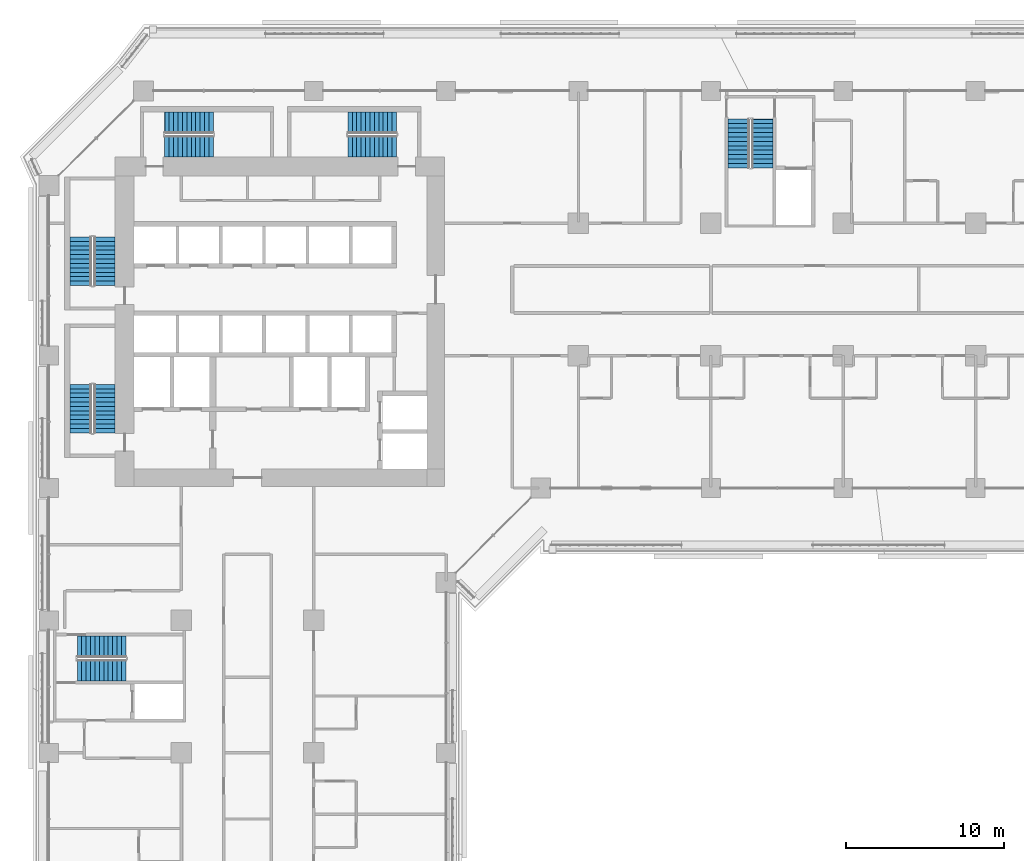
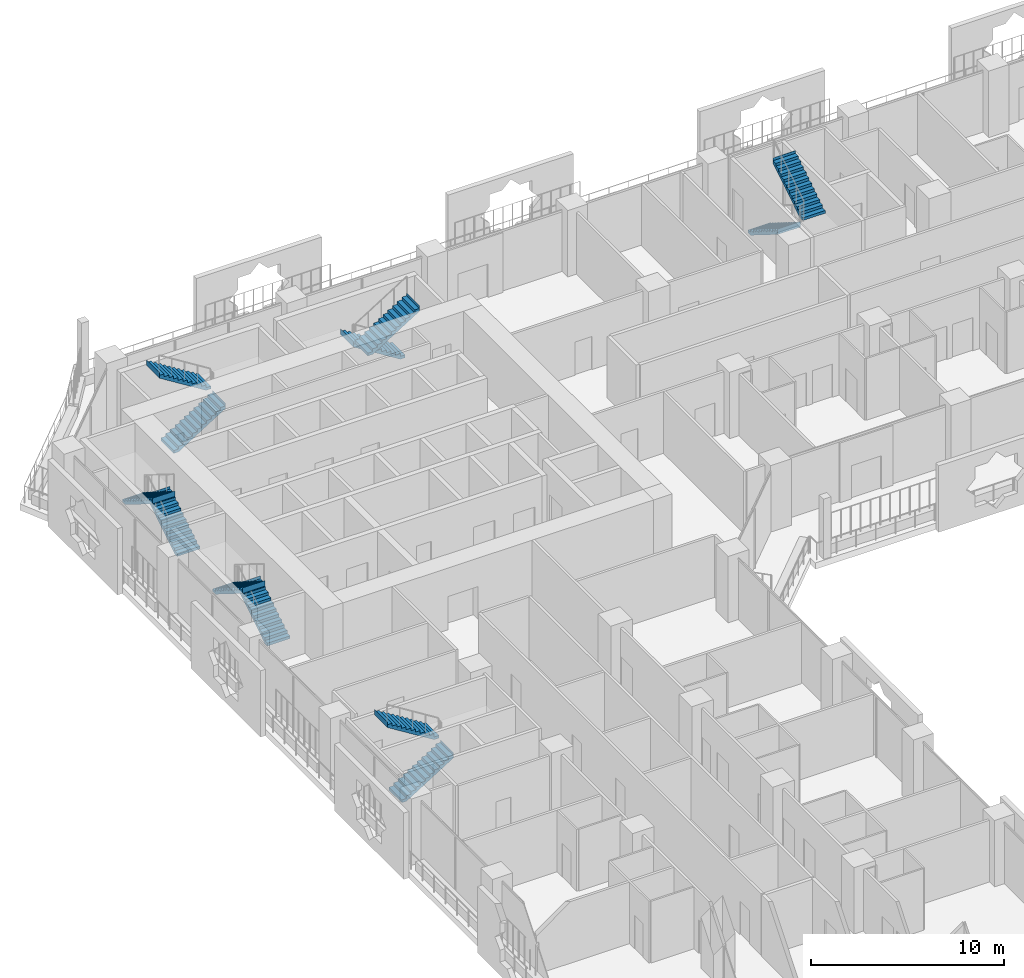
# One storey, part 21 of 29: 12 stair flights, 6 elements without a shape of their own.
"""IFC4 building model written with IfcOpenShell, lengths in metres."""

from ifc_helpers import new_model, si_unit, direction, frame, origin, place, context, subcontext, project, spatial, polyline, outline, extrude, material, type_object, element, aggregate, save


model = new_model("IFC4")

# Units and contexts
model_context = context("Model", 3, precision=1e-05, world=origin(), true_north=direction((0.0, 1.0)))
body_context = subcontext(model_context, "Body", "Model", "MODEL_VIEW")
ifc_project = project(units=[si_unit("LENGTHUNIT", "METRE"), si_unit("AREAUNIT", "SQUARE_METRE"), si_unit("VOLUMEUNIT", "CUBIC_METRE"), si_unit("PLANEANGLEUNIT", "RADIAN"), si_unit("MASSUNIT", "GRAM", prefix="KILO")], contexts=[model_context])

# Site, building, storey
site_placement = place(None, origin())
site = spatial("IfcSite", under=ifc_project, at=site_placement, CompositionType="ELEMENT")
building_placement = place(site_placement, origin())
building = spatial("IfcBuilding", under=site, at=building_placement, Name="Kawkab Arch Medical Tower", CompositionType="ELEMENT")
storey_placement = place(building_placement, frame((0.0, 0.0, 60.199951171875)))
storey = spatial("IfcBuildingStorey", under=building, at=storey_placement, Name="L13", CompositionType="ELEMENT", Elevation=60.199951171875)

# Stair, stair flights
ifc_material_1 = material(Name="Concrete C40/50", Category="concrete")
stair_type = type_object("IfcStairType", Name="Exit stair 1350", PredefinedType="HALF_TURN_STAIR", material=ifc_material_1)
placement = place(storey_placement, origin())
stair_1 = element("IfcStair", 1, at=placement, inside=storey, type_object=stair_type, Name="L13 Exit stair ST1", PredefinedType="HALF_TURN_STAIR")
ifc_material_2 = material(Name="Concrete C40/50", Category="concrete")
stair_flight_type = type_object("IfcStairFlightType", Name="Exit stair flight 1350", PredefinedType="STRAIGHT", material=ifc_material_2)
stair_flight_1_placement = place(storey_placement, frame((3.52490234375, -12.35009765625, 0.0), z_axis=(0.0, 0.0, 1.0), x_axis=(0.0, 1.0, 0.0)))
stair_flight_1 = element("IfcStairFlight", 2, at=stair_flight_1_placement, type_object=stair_flight_type, Name="ST1 flight 1", NumberOfRisers=12, NumberOfTreads=11, PredefinedType="STRAIGHT", RiserHeight=0.175, TreadLength=0.28, context=body_context, shape_type="SweptSolid", body=[
    extrude(outline(polyline([(-0.0029296875, 0.0), (-0.0029296875, 0.175048828125), (0.0, 0.175048828125), (0.280029296875, 0.175048828125), (0.280029296875, 0.35009765625), (0.56005859375, 0.35009765625), (0.56005859375, 0.52490234375), (0.840087890625, 0.52490234375), (0.840087890625, 0.699951171875), (1.1201171875, 0.699951171875), (1.1201171875, 0.875), (1.39990234375, 0.875), (1.39990234375, 1.050048828125), (1.679931640625, 1.050048828125), (1.679931640625, 1.22509765625), (1.9599609375, 1.22509765625), (1.9599609375, 1.39990234375), (2.239990234375, 1.39990234375), (2.239990234375, 1.574951171875), (2.52001953125, 1.574951171875), (2.52001953125, 1.75), (2.800048828125, 1.75), (2.800048828125, 1.925048828125), (3.080078125, 1.925048828125), (3.080078125, 2.10009765625), (3.0830078125, 2.10009765625), (3.0830078125, 1.748291015625), (3.080078125, 1.748291015625), (0.28271484375, 0.0), (-0.0029296875, 0.0)])), frame((0.0, 0.675048828125, 0.0), z_axis=(0.0, -1.0, 0.0), x_axis=(1.0, 0.0, 0.0)), (0.0, 0.0, 1.0), 1.35009765625),
])
stair_flight_2_placement = place(storey_placement, frame((2.02490234375, -9.27001953125, 2.10009765625), z_axis=(0.0, 0.0, 1.0), x_axis=(0.0, -1.0, 0.0)))
stair_flight_2 = element("IfcStairFlight", 3, at=stair_flight_2_placement, type_object=stair_flight_type, Name="ST1 flight 2", NumberOfRisers=12, NumberOfTreads=11, PredefinedType="STRAIGHT", RiserHeight=0.175, TreadLength=0.28, context=body_context, shape_type="SweptSolid", body=[
    extrude(outline(polyline([(-0.0029296875, 0.0), (-0.0029296875, 0.175048828125), (0.0, 0.175048828125), (0.280029296875, 0.175048828125), (0.280029296875, 0.35009765625), (0.56005859375, 0.35009765625), (0.56005859375, 0.52490234375), (0.840087890625, 0.52490234375), (0.840087890625, 0.699951171875), (1.1201171875, 0.699951171875), (1.1201171875, 0.875), (1.39990234375, 0.875), (1.39990234375, 1.050048828125), (1.679931640625, 1.050048828125), (1.679931640625, 1.22509765625), (1.9599609375, 1.22509765625), (1.9599609375, 1.39990234375), (2.239990234375, 1.39990234375), (2.239990234375, 1.574951171875), (2.52001953125, 1.574951171875), (2.52001953125, 1.75), (2.800048828125, 1.75), (2.800048828125, 1.925048828125), (3.080078125, 1.925048828125), (3.080078125, 2.10009765625), (3.0830078125, 2.10009765625), (3.0830078125, 1.748291015625), (3.080078125, 1.748291015625), (0.28271484375, 0.0), (-0.0029296875, 0.0)])), frame((0.0, 0.675048828125, 0.0), z_axis=(0.0, -1.0, 0.0), x_axis=(1.0, 0.0, 0.0)), (0.0, 0.0, 1.0), 1.35009765625),
])
aggregate(stair_1, [stair_flight_1, stair_flight_2])

stair_2 = element("IfcStair", 4, at=placement, inside=storey, type_object=stair_type, Name="L13 Exit stair ST2", PredefinedType="HALF_TURN_STAIR")
stair_flight_3_placement = place(storey_placement, frame((3.52490234375, -21.699951171875, 0.0), z_axis=(0.0, 0.0, 1.0), x_axis=(0.0, 1.0, 0.0)))
stair_flight_3 = element("IfcStairFlight", 5, at=stair_flight_3_placement, type_object=stair_flight_type, Name="ST2 flight 1", NumberOfRisers=12, NumberOfTreads=11, PredefinedType="STRAIGHT", RiserHeight=0.175, TreadLength=0.28, context=body_context, shape_type="SweptSolid", body=[
    extrude(outline(polyline([(-0.0029296875, 0.0), (-0.0029296875, 0.175048828125), (0.0, 0.175048828125), (0.280029296875, 0.175048828125), (0.280029296875, 0.35009765625), (0.56005859375, 0.35009765625), (0.56005859375, 0.52490234375), (0.840087890625, 0.52490234375), (0.840087890625, 0.699951171875), (1.1201171875, 0.699951171875), (1.1201171875, 0.875), (1.39990234375, 0.875), (1.39990234375, 1.050048828125), (1.679931640625, 1.050048828125), (1.679931640625, 1.22509765625), (1.9599609375, 1.22509765625), (1.9599609375, 1.39990234375), (2.239990234375, 1.39990234375), (2.239990234375, 1.574951171875), (2.52001953125, 1.574951171875), (2.52001953125, 1.75), (2.800048828125, 1.75), (2.800048828125, 1.925048828125), (3.080078125, 1.925048828125), (3.080078125, 2.10009765625), (3.0830078125, 2.10009765625), (3.0830078125, 1.748291015625), (3.080078125, 1.748291015625), (0.28271484375, 0.0), (-0.0029296875, 0.0)])), frame((0.0, 0.675048828125, 0.0), z_axis=(0.0, -1.0, 0.0), x_axis=(1.0, 0.0, 0.0)), (0.0, 0.0, 1.0), 1.35009765625),
])
stair_flight_4_placement = place(storey_placement, frame((2.02490234375, -18.6201171875, 2.10009765625), z_axis=(0.0, 0.0, 1.0), x_axis=(0.0, -1.0, 0.0)))
stair_flight_4 = element("IfcStairFlight", 6, at=stair_flight_4_placement, type_object=stair_flight_type, Name="ST2 flight 2", NumberOfRisers=12, NumberOfTreads=11, PredefinedType="STRAIGHT", RiserHeight=0.175, TreadLength=0.28, context=body_context, shape_type="SweptSolid", body=[
    extrude(outline(polyline([(-0.0029296875, 0.0), (-0.0029296875, 0.175048828125), (0.0, 0.175048828125), (0.280029296875, 0.175048828125), (0.280029296875, 0.35009765625), (0.56005859375, 0.35009765625), (0.56005859375, 0.52490234375), (0.840087890625, 0.52490234375), (0.840087890625, 0.699951171875), (1.1201171875, 0.699951171875), (1.1201171875, 0.875), (1.39990234375, 0.875), (1.39990234375, 1.050048828125), (1.679931640625, 1.050048828125), (1.679931640625, 1.22509765625), (1.9599609375, 1.22509765625), (1.9599609375, 1.39990234375), (2.239990234375, 1.39990234375), (2.239990234375, 1.574951171875), (2.52001953125, 1.574951171875), (2.52001953125, 1.75), (2.800048828125, 1.75), (2.800048828125, 1.925048828125), (3.080078125, 1.925048828125), (3.080078125, 2.10009765625), (3.0830078125, 2.10009765625), (3.0830078125, 1.748291015625), (3.080078125, 1.748291015625), (0.28271484375, 0.0), (-0.0029296875, 0.0)])), frame((0.0, 0.675048828125, 0.0), z_axis=(0.0, -1.0, 0.0), x_axis=(1.0, 0.0, 0.0)), (0.0, 0.0, 1.0), 1.35009765625),
])
aggregate(stair_2, [stair_flight_3, stair_flight_4])

stair_3 = element("IfcStair", 7, at=placement, inside=storey, type_object=stair_type, Name="L13 Exit stair ST3", PredefinedType="HALF_TURN_STAIR")
stair_flight_5_placement = place(storey_placement, frame((7.35009765625, -3.52490234375, 0.0), z_axis=(0.0, 0.0, 1.0), x_axis=(1.0, 0.0, 0.0)))
stair_flight_5 = element("IfcStairFlight", 8, at=stair_flight_5_placement, type_object=stair_flight_type, Name="ST3 flight 1", NumberOfRisers=12, NumberOfTreads=11, PredefinedType="STRAIGHT", RiserHeight=0.175, TreadLength=0.28, context=body_context, shape_type="SweptSolid", body=[
    extrude(outline(polyline([(-0.0029296875, 0.0), (-0.0029296875, 0.175048828125), (0.0, 0.175048828125), (0.280029296875, 0.175048828125), (0.280029296875, 0.35009765625), (0.56005859375, 0.35009765625), (0.56005859375, 0.52490234375), (0.840087890625, 0.52490234375), (0.840087890625, 0.699951171875), (1.1201171875, 0.699951171875), (1.1201171875, 0.875), (1.39990234375, 0.875), (1.39990234375, 1.050048828125), (1.679931640625, 1.050048828125), (1.679931640625, 1.22509765625), (1.9599609375, 1.22509765625), (1.9599609375, 1.39990234375), (2.239990234375, 1.39990234375), (2.239990234375, 1.574951171875), (2.52001953125, 1.574951171875), (2.52001953125, 1.75), (2.800048828125, 1.75), (2.800048828125, 1.925048828125), (3.080078125, 1.925048828125), (3.080078125, 2.10009765625), (3.0830078125, 2.10009765625), (3.0830078125, 1.748291015625), (3.080078125, 1.748291015625), (0.28271484375, 0.0), (-0.0029296875, 0.0)])), frame((0.0, 0.675048828125, 0.0), z_axis=(0.0, -1.0, 0.0), x_axis=(1.0, 0.0, 0.0)), (0.0, 0.0, 1.0), 1.35009765625),
])
stair_flight_6_placement = place(storey_placement, frame((10.429931640625, -2.02490234375, 2.10009765625), z_axis=(0.0, 0.0, 1.0), x_axis=(-1.0, 0.0, 0.0)))
stair_flight_6 = element("IfcStairFlight", 9, at=stair_flight_6_placement, type_object=stair_flight_type, Name="ST3 flight 2", NumberOfRisers=12, NumberOfTreads=11, PredefinedType="STRAIGHT", RiserHeight=0.175, TreadLength=0.28, context=body_context, shape_type="SweptSolid", body=[
    extrude(outline(polyline([(-0.0029296875, 0.0), (-0.0029296875, 0.175048828125), (0.0, 0.175048828125), (0.280029296875, 0.175048828125), (0.280029296875, 0.35009765625), (0.56005859375, 0.35009765625), (0.56005859375, 0.52490234375), (0.840087890625, 0.52490234375), (0.840087890625, 0.699951171875), (1.1201171875, 0.699951171875), (1.1201171875, 0.875), (1.39990234375, 0.875), (1.39990234375, 1.050048828125), (1.679931640625, 1.050048828125), (1.679931640625, 1.22509765625), (1.9599609375, 1.22509765625), (1.9599609375, 1.39990234375), (2.239990234375, 1.39990234375), (2.239990234375, 1.574951171875), (2.52001953125, 1.574951171875), (2.52001953125, 1.75), (2.800048828125, 1.75), (2.800048828125, 1.925048828125), (3.080078125, 1.925048828125), (3.080078125, 2.10009765625), (3.0830078125, 2.10009765625), (3.0830078125, 1.748291015625), (3.080078125, 1.748291015625), (0.28271484375, 0.0), (-0.0029296875, 0.0)])), frame((0.0, 0.675048828125, 0.0), z_axis=(0.0, -1.0, 0.0), x_axis=(1.0, 0.0, 0.0)), (0.0, 0.0, 1.0), 1.35009765625),
])
aggregate(stair_3, [stair_flight_5, stair_flight_6])

stair_4 = element("IfcStair", 10, at=placement, inside=storey, type_object=stair_type, Name="L13 Exit stair ST4", PredefinedType="HALF_TURN_STAIR")
stair_flight_7_placement = place(storey_placement, frame((22.050048828125, -2.02490234375, 0.0), z_axis=(0.0, 0.0, 1.0), x_axis=(-1.0, 0.0, 0.0)))
stair_flight_7 = element("IfcStairFlight", 11, at=stair_flight_7_placement, type_object=stair_flight_type, Name="ST4 flight 1", NumberOfRisers=12, NumberOfTreads=11, PredefinedType="STRAIGHT", RiserHeight=0.175, TreadLength=0.28, context=body_context, shape_type="SweptSolid", body=[
    extrude(outline(polyline([(-0.0029296875, 0.0), (-0.0029296875, 0.175048828125), (0.0, 0.175048828125), (0.280029296875, 0.175048828125), (0.280029296875, 0.35009765625), (0.56005859375, 0.35009765625), (0.56005859375, 0.52490234375), (0.840087890625, 0.52490234375), (0.840087890625, 0.699951171875), (1.1201171875, 0.699951171875), (1.1201171875, 0.875), (1.39990234375, 0.875), (1.39990234375, 1.050048828125), (1.679931640625, 1.050048828125), (1.679931640625, 1.22509765625), (1.9599609375, 1.22509765625), (1.9599609375, 1.39990234375), (2.239990234375, 1.39990234375), (2.239990234375, 1.574951171875), (2.52001953125, 1.574951171875), (2.52001953125, 1.75), (2.800048828125, 1.75), (2.800048828125, 1.925048828125), (3.080078125, 1.925048828125), (3.080078125, 2.10009765625), (3.0830078125, 2.10009765625), (3.0830078125, 1.748291015625), (3.080078125, 1.748291015625), (0.28271484375, 0.0), (-0.0029296875, 0.0)])), frame((0.0, 0.675048828125, 0.0), z_axis=(0.0, -1.0, 0.0), x_axis=(1.0, 0.0, 0.0)), (0.0, 0.0, 1.0), 1.35009765625),
])
stair_flight_8_placement = place(storey_placement, frame((18.969970703125, -3.52490234375, 2.10009765625), z_axis=(0.0, 0.0, 1.0), x_axis=(1.0, 0.0, 0.0)))
stair_flight_8 = element("IfcStairFlight", 12, at=stair_flight_8_placement, type_object=stair_flight_type, Name="ST4 flight 2", NumberOfRisers=12, NumberOfTreads=11, PredefinedType="STRAIGHT", RiserHeight=0.175, TreadLength=0.28, context=body_context, shape_type="SweptSolid", body=[
    extrude(outline(polyline([(-0.0029296875, 0.0), (-0.0029296875, 0.175048828125), (0.0, 0.175048828125), (0.280029296875, 0.175048828125), (0.280029296875, 0.35009765625), (0.56005859375, 0.35009765625), (0.56005859375, 0.52490234375), (0.840087890625, 0.52490234375), (0.840087890625, 0.699951171875), (1.1201171875, 0.699951171875), (1.1201171875, 0.875), (1.39990234375, 0.875), (1.39990234375, 1.050048828125), (1.679931640625, 1.050048828125), (1.679931640625, 1.22509765625), (1.9599609375, 1.22509765625), (1.9599609375, 1.39990234375), (2.239990234375, 1.39990234375), (2.239990234375, 1.574951171875), (2.52001953125, 1.574951171875), (2.52001953125, 1.75), (2.800048828125, 1.75), (2.800048828125, 1.925048828125), (3.080078125, 1.925048828125), (3.080078125, 2.10009765625), (3.0830078125, 2.10009765625), (3.0830078125, 1.748291015625), (3.080078125, 1.748291015625), (0.28271484375, 0.0), (-0.0029296875, 0.0)])), frame((0.0, 0.675048828125, 0.0), z_axis=(0.0, -1.0, 0.0), x_axis=(1.0, 0.0, 0.0)), (0.0, 0.0, 1.0), 1.35009765625),
])
aggregate(stair_4, [stair_flight_7, stair_flight_8])

stair_5 = element("IfcStair", 13, at=placement, inside=storey, type_object=stair_type, Name="L13 Exit stair ST5", PredefinedType="HALF_TURN_STAIR")
stair_flight_9_placement = place(storey_placement, frame((43.77490234375, -1.800048828125, 0.0), z_axis=(0.0, 0.0, 1.0), x_axis=(0.0, -1.0, 0.0)))
stair_flight_9 = element("IfcStairFlight", 14, at=stair_flight_9_placement, type_object=stair_flight_type, Name="ST5 flight 1", NumberOfRisers=12, NumberOfTreads=11, PredefinedType="STRAIGHT", RiserHeight=0.175, TreadLength=0.28, context=body_context, shape_type="SweptSolid", body=[
    extrude(outline(polyline([(-0.0029296875, 0.0), (-0.0029296875, 0.175048828125), (0.0, 0.175048828125), (0.280029296875, 0.175048828125), (0.280029296875, 0.35009765625), (0.56005859375, 0.35009765625), (0.56005859375, 0.52490234375), (0.840087890625, 0.52490234375), (0.840087890625, 0.699951171875), (1.1201171875, 0.699951171875), (1.1201171875, 0.875), (1.39990234375, 0.875), (1.39990234375, 1.050048828125), (1.679931640625, 1.050048828125), (1.679931640625, 1.22509765625), (1.9599609375, 1.22509765625), (1.9599609375, 1.39990234375), (2.239990234375, 1.39990234375), (2.239990234375, 1.574951171875), (2.52001953125, 1.574951171875), (2.52001953125, 1.75), (2.800048828125, 1.75), (2.800048828125, 1.925048828125), (3.080078125, 1.925048828125), (3.080078125, 2.10009765625), (3.0830078125, 2.10009765625), (3.0830078125, 1.748291015625), (3.080078125, 1.748291015625), (0.28271484375, 0.0), (-0.0029296875, 0.0)])), frame((0.0, 0.675048828125, 0.0), z_axis=(0.0, -1.0, 0.0), x_axis=(1.0, 0.0, 0.0)), (0.0, 0.0, 1.0), 1.35009765625),
])
stair_flight_10_placement = place(storey_placement, frame((45.27490234375, -4.8798828125, 2.10009765625), z_axis=(0.0, 0.0, 1.0), x_axis=(0.0, 1.0, 0.0)))
stair_flight_10 = element("IfcStairFlight", 15, at=stair_flight_10_placement, type_object=stair_flight_type, Name="ST5 flight 2", NumberOfRisers=12, NumberOfTreads=11, PredefinedType="STRAIGHT", RiserHeight=0.175, TreadLength=0.28, context=body_context, shape_type="SweptSolid", body=[
    extrude(outline(polyline([(-0.0029296875, 0.0), (-0.0029296875, 0.175048828125), (0.0, 0.175048828125), (0.280029296875, 0.175048828125), (0.280029296875, 0.35009765625), (0.56005859375, 0.35009765625), (0.56005859375, 0.52490234375), (0.840087890625, 0.52490234375), (0.840087890625, 0.699951171875), (1.1201171875, 0.699951171875), (1.1201171875, 0.875), (1.39990234375, 0.875), (1.39990234375, 1.050048828125), (1.679931640625, 1.050048828125), (1.679931640625, 1.22509765625), (1.9599609375, 1.22509765625), (1.9599609375, 1.39990234375), (2.239990234375, 1.39990234375), (2.239990234375, 1.574951171875), (2.52001953125, 1.574951171875), (2.52001953125, 1.75), (2.800048828125, 1.75), (2.800048828125, 1.925048828125), (3.080078125, 1.925048828125), (3.080078125, 2.10009765625), (3.0830078125, 2.10009765625), (3.0830078125, 1.748291015625), (3.080078125, 1.748291015625), (0.28271484375, 0.0), (-0.0029296875, 0.0)])), frame((0.0, 0.675048828125, 0.0), z_axis=(0.0, -1.0, 0.0), x_axis=(1.0, 0.0, 0.0)), (0.0, 0.0, 1.0), 1.35009765625),
])
aggregate(stair_5, [stair_flight_9, stair_flight_10])

stair_6 = element("IfcStair", 16, at=placement, inside=storey, type_object=stair_type, Name="L13 Exit stair ST6", PredefinedType="HALF_TURN_STAIR")
stair_flight_11_placement = place(storey_placement, frame((1.800048828125, -36.77490234375, 0.0), z_axis=(0.0, 0.0, 1.0), x_axis=(1.0, 0.0, 0.0)))
stair_flight_11 = element("IfcStairFlight", 17, at=stair_flight_11_placement, type_object=stair_flight_type, Name="ST6 flight 1", NumberOfRisers=12, NumberOfTreads=11, PredefinedType="STRAIGHT", RiserHeight=0.175, TreadLength=0.28, context=body_context, shape_type="SweptSolid", body=[
    extrude(outline(polyline([(-0.0029296875, 0.0), (-0.0029296875, 0.175048828125), (0.0, 0.175048828125), (0.280029296875, 0.175048828125), (0.280029296875, 0.35009765625), (0.56005859375, 0.35009765625), (0.56005859375, 0.52490234375), (0.840087890625, 0.52490234375), (0.840087890625, 0.699951171875), (1.1201171875, 0.699951171875), (1.1201171875, 0.875), (1.39990234375, 0.875), (1.39990234375, 1.050048828125), (1.679931640625, 1.050048828125), (1.679931640625, 1.22509765625), (1.9599609375, 1.22509765625), (1.9599609375, 1.39990234375), (2.239990234375, 1.39990234375), (2.239990234375, 1.574951171875), (2.52001953125, 1.574951171875), (2.52001953125, 1.75), (2.800048828125, 1.75), (2.800048828125, 1.925048828125), (3.080078125, 1.925048828125), (3.080078125, 2.10009765625), (3.0830078125, 2.10009765625), (3.0830078125, 1.748291015625), (3.080078125, 1.748291015625), (0.28271484375, 0.0), (-0.0029296875, 0.0)])), frame((0.0, 0.675048828125, 0.0), z_axis=(0.0, -1.0, 0.0), x_axis=(1.0, 0.0, 0.0)), (0.0, 0.0, 1.0), 1.35009765625),
])
stair_flight_12_placement = place(storey_placement, frame((4.8798828125, -35.27490234375, 2.10009765625), z_axis=(0.0, 0.0, 1.0), x_axis=(-1.0, 0.0, 0.0)))
stair_flight_12 = element("IfcStairFlight", 18, at=stair_flight_12_placement, type_object=stair_flight_type, Name="ST6 flight 2", NumberOfRisers=12, NumberOfTreads=11, PredefinedType="STRAIGHT", RiserHeight=0.175, TreadLength=0.28, context=body_context, shape_type="SweptSolid", body=[
    extrude(outline(polyline([(-0.0029296875, 0.0), (-0.0029296875, 0.175048828125), (0.0, 0.175048828125), (0.280029296875, 0.175048828125), (0.280029296875, 0.35009765625), (0.56005859375, 0.35009765625), (0.56005859375, 0.52490234375), (0.840087890625, 0.52490234375), (0.840087890625, 0.699951171875), (1.1201171875, 0.699951171875), (1.1201171875, 0.875), (1.39990234375, 0.875), (1.39990234375, 1.050048828125), (1.679931640625, 1.050048828125), (1.679931640625, 1.22509765625), (1.9599609375, 1.22509765625), (1.9599609375, 1.39990234375), (2.239990234375, 1.39990234375), (2.239990234375, 1.574951171875), (2.52001953125, 1.574951171875), (2.52001953125, 1.75), (2.800048828125, 1.75), (2.800048828125, 1.925048828125), (3.080078125, 1.925048828125), (3.080078125, 2.10009765625), (3.0830078125, 2.10009765625), (3.0830078125, 1.748291015625), (3.080078125, 1.748291015625), (0.28271484375, 0.0), (-0.0029296875, 0.0)])), frame((0.0, 0.675048828125, 0.0), z_axis=(0.0, -1.0, 0.0), x_axis=(1.0, 0.0, 0.0)), (0.0, 0.0, 1.0), 1.35009765625),
])
aggregate(stair_6, [stair_flight_11, stair_flight_12])

save(model, "model.ifc")
